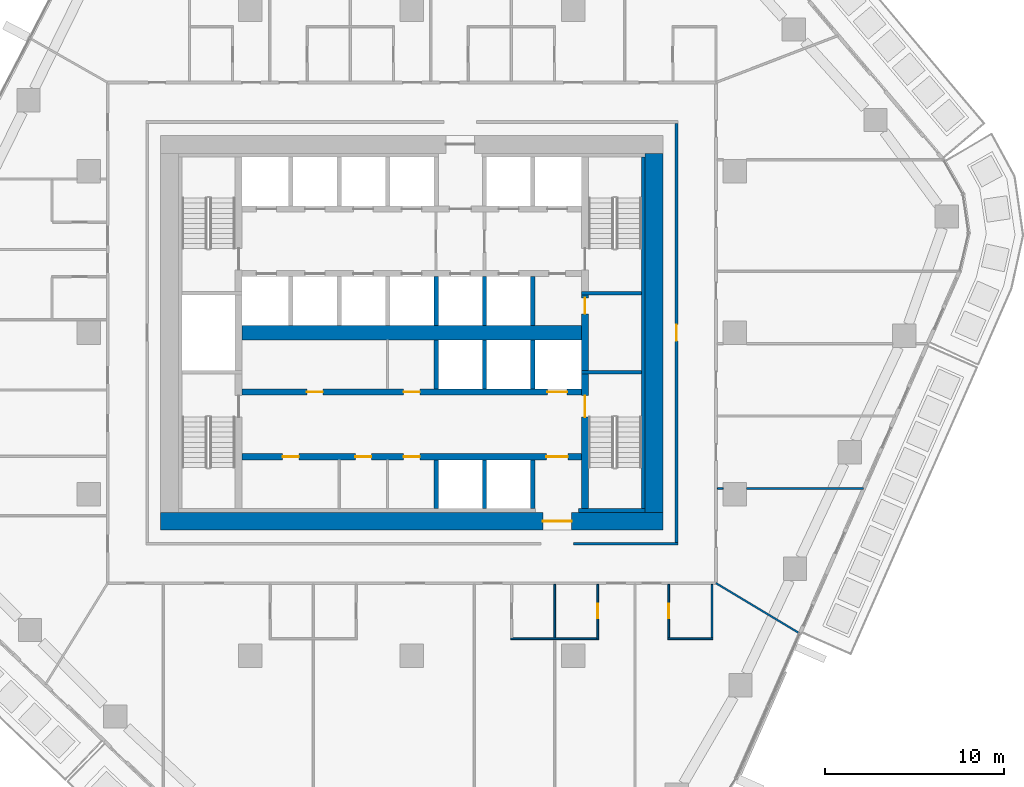
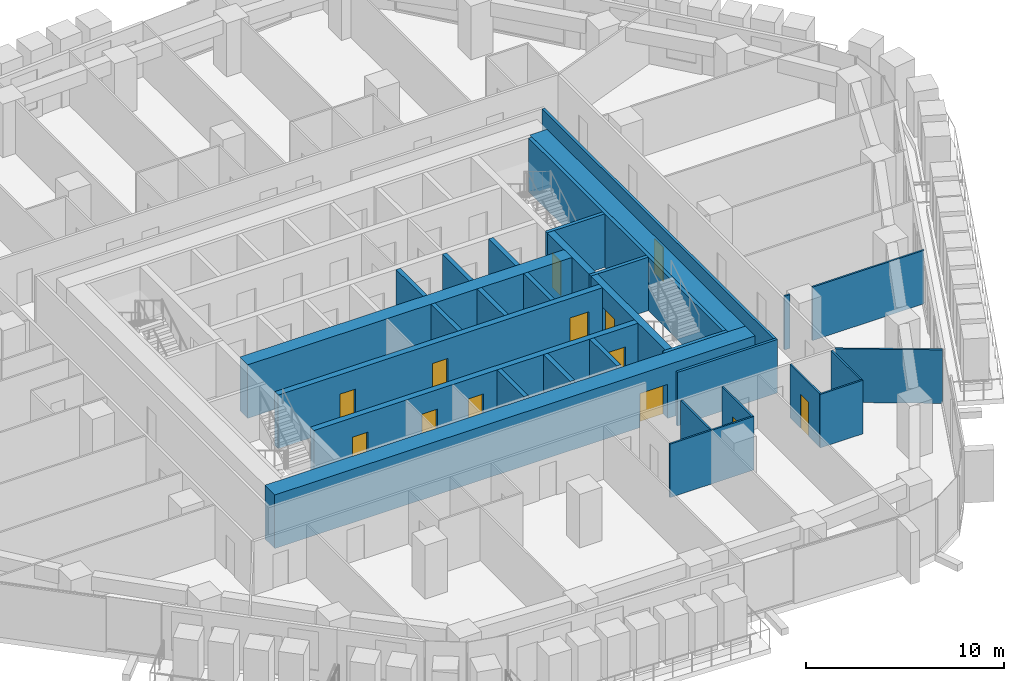
# One storey, part 13 of 24: 31 walls, 13 doors, 13 openings.
"""IFC4 building model written with IfcOpenShell, lengths in metres."""

from ifc_helpers import new_model, si_unit, direction, frame, frame_2d, origin, place, context, subcontext, project, spatial, rectangle, extrude, material, layer, layer_set, type_object, element, fill, save


model = new_model("IFC4")

# Units and contexts
model_context = context("Model", 3, precision=1e-05, world=origin(), true_north=direction((0.0, 1.0)))
body_context = subcontext(model_context, "Body", "Model", "MODEL_VIEW")
ifc_project = project(units=[si_unit("LENGTHUNIT", "METRE"), si_unit("AREAUNIT", "SQUARE_METRE"), si_unit("VOLUMEUNIT", "CUBIC_METRE"), si_unit("PLANEANGLEUNIT", "RADIAN"), si_unit("MASSUNIT", "GRAM", prefix="KILO")], contexts=[model_context])

# Site, building, storey
site_placement = place(None, origin())
site = spatial("IfcSite", under=ifc_project, at=site_placement, CompositionType="ELEMENT")
building_placement = place(site_placement, origin())
building = spatial("IfcBuilding", under=site, at=building_placement, Name="Dongbaek Canopy Tower", CompositionType="ELEMENT")
storey_placement = place(building_placement, frame((0.0, 0.0, 110.0)))
storey = spatial("IfcBuildingStorey", under=building, at=storey_placement, Name="L23", CompositionType="ELEMENT", Elevation=110.0)

# Wall
ifc_material_1 = material(Name="Concrete C60/75", Category="concrete")
ifc_layer_1 = layer(ifc_material_1, 0.800048828125)
ifc_layer_set_1 = layer_set([ifc_layer_1], Name="Core central wall 800 Concrete C60/75")
wall_type_1 = type_object("IfcWallType", Name="Core central wall 800 Concrete C60/75", PredefinedType="SHEAR", material=ifc_layer_set_1)
wall_1_placement = place(storey_placement, frame((-9.449951171875, 0.0, 0.0), z_axis=(0.0, 0.0, 1.0), x_axis=(1.0, 0.0, 0.0)))
element("IfcWall", 1, at=wall_1_placement, inside=storey, type_object=wall_type_1, Name="Core wall", PredefinedType="SHEAR", context=body_context, shape_type="SweptSolid", body=[
    extrude(rectangle(XDim=18.89990234375, YDim=0.800048828125, at=frame_2d((9.449951171875, 0.0))), origin(), (0.0, 0.0, 1.0), 3.300048828125),
])

# Wall, openings, doors
ifc_material_2 = material(Name="Concrete C60/75", Category="concrete")
ifc_layer_2 = layer(ifc_material_2, 0.35009765625)
ifc_layer_set_2 = layer_set([ifc_layer_2], Name="Core lobby wall 350 Concrete C60/75")
wall_type_2 = type_object("IfcWallType", Name="Core lobby wall 350 Concrete C60/75", PredefinedType="SHEAR", material=ifc_layer_set_2)
wall_2_placement = place(storey_placement, frame((-9.449951171875, -3.300048828125, 0.0), z_axis=(0.0, 0.0, 1.0), x_axis=(1.0, 0.0, 0.0)))
wall_2 = element("IfcWall", 2, at=wall_2_placement, inside=storey, type_object=wall_type_2, Name="Core wall", PredefinedType="SHEAR", context=body_context, shape_type="SweptSolid", body=[
    extrude(rectangle(XDim=18.89990234375, YDim=0.35009765625, at=frame_2d((9.449951171875, 0.0))), origin(), (0.0, 0.0, 1.0), 3.300048828125),
])
opening_1_placement = place(wall_2_placement, frame((17.0, 0.0, 0.0)))
opening_1 = element("IfcOpeningElement", 3, at=opening_1_placement, cuts=wall_2, Name="Opening L23-D057", PredefinedType="OPENING", context=body_context, shape_type="SweptSolid", body=[
    extrude(rectangle(XDim=1.10009765625, YDim=2.10009765625, at=frame_2d((0.550048828125, 1.050048828125))), frame((0.0, 0.18505859375, 0.0), z_axis=(0.0, -1.0, 0.0), x_axis=(1.0, 0.0, 0.0)), (0.0, 0.0, 1.0), 0.3701171875),
])
opening_2_placement = place(wall_2_placement, frame((3.60009765625, 0.0, 0.0)))
opening_2 = element("IfcOpeningElement", 4, at=opening_2_placement, cuts=wall_2, Name="Opening L23-D060", PredefinedType="OPENING", context=body_context, shape_type="SweptSolid", body=[
    extrude(rectangle(XDim=0.89990234375, YDim=2.10009765625, at=frame_2d((0.449951171875, 1.050048828125))), frame((0.0, 0.18505859375, 0.0), z_axis=(0.0, -1.0, 0.0), x_axis=(1.0, 0.0, 0.0)), (0.0, 0.0, 1.0), 0.3701171875),
])
opening_3_placement = place(wall_2_placement, frame((9.0, 0.0, 0.0)))
opening_3 = element("IfcOpeningElement", 5, at=opening_3_placement, cuts=wall_2, Name="Opening L23-D061", PredefinedType="OPENING", context=body_context, shape_type="SweptSolid", body=[
    extrude(rectangle(XDim=0.89990234375, YDim=2.10009765625, at=frame_2d((0.449951171875, 1.050048828125))), frame((0.0, 0.18505859375, 0.0), z_axis=(0.0, -1.0, 0.0), x_axis=(1.0, 0.0, 0.0)), (0.0, 0.0, 1.0), 0.3701171875),
])
ifc_material_3 = material(Name="Steel", Category="steel")
door_type_1 = type_object("IfcDoorType", Name="Core room door 900 x 2100", OperationType="SINGLE_SWING_LEFT", PredefinedType="DOOR", material=ifc_material_3)
door_1_placement = place(opening_2_placement, origin())
door_1 = element("IfcDoor", 6, at=door_1_placement, inside=storey, type_object=door_type_1, Name="Door L23-D060", OperationType="SINGLE_SWING_RIGHT", OverallHeight=2.10009765625, OverallWidth=0.89990234375, PredefinedType="DOOR", context=body_context, shape_type="SweptSolid", body=[
    extrude(rectangle(XDim=0.89990234375, YDim=2.10009765625, at=frame_2d((0.449951171875, 1.050048828125))), frame((0.0, 0.02490234375, 0.0), z_axis=(0.0, -1.0, 0.0), x_axis=(1.0, 0.0, 0.0)), (0.0, 0.0, 1.0), 0.050048828125),
])
fill(opening_2, door_1)
door_2_placement = place(opening_3_placement, origin())
door_2 = element("IfcDoor", 7, at=door_2_placement, inside=storey, type_object=door_type_1, Name="Door L23-D061", OperationType="SINGLE_SWING_LEFT", OverallHeight=2.10009765625, OverallWidth=0.89990234375, PredefinedType="DOOR", context=body_context, shape_type="SweptSolid", body=[
    extrude(rectangle(XDim=0.89990234375, YDim=2.10009765625, at=frame_2d((0.449951171875, 1.050048828125))), frame((0.0, 0.02490234375, 0.0), z_axis=(0.0, -1.0, 0.0), x_axis=(1.0, 0.0, 0.0)), (0.0, 0.0, 1.0), 0.050048828125),
])
fill(opening_3, door_2)
ifc_material_4 = material(Name="Stainless steel", Category="steel")
door_type_2 = type_object("IfcDoorType", Name="Lift landing door 1100 x 2100", OperationType="DOUBLE_DOOR_SLIDING", PredefinedType="DOOR", material=ifc_material_4)
door_3_placement = place(opening_1_placement, origin())
door_3 = element("IfcDoor", 8, at=door_3_placement, inside=storey, type_object=door_type_2, Name="Landing door SV2", OperationType="DOUBLE_DOOR_SLIDING", OverallHeight=2.10009765625, OverallWidth=1.10009765625, PredefinedType="DOOR", context=body_context, shape_type="SweptSolid", body=[
    extrude(rectangle(XDim=1.10009765625, YDim=2.10009765625, at=frame_2d((0.550048828125, 1.050048828125))), frame((0.0, 0.02490234375, 0.0), z_axis=(0.0, -1.0, 0.0), x_axis=(1.0, 0.0, 0.0)), (0.0, 0.0, 1.0), 0.050048828125),
])
fill(opening_1, door_3)

wall_3_placement = place(storey_placement, frame((9.449951171875, -6.89990234375, 0.0), z_axis=(0.0, 0.0, 1.0), x_axis=(-1.0, 0.0, 0.0)))
wall_3 = element("IfcWall", 9, at=wall_3_placement, inside=storey, type_object=wall_type_2, Name="Core wall", PredefinedType="SHEAR", context=body_context, shape_type="SweptSolid", body=[
    extrude(rectangle(XDim=18.89990234375, YDim=0.35009765625, at=frame_2d((9.449951171875, 0.0))), origin(), (0.0, 0.0, 1.0), 3.300048828125),
])
opening_4_placement = place(wall_3_placement, frame((0.75, 0.0, 0.0)))
opening_4 = element("IfcOpeningElement", 10, at=opening_4_placement, cuts=wall_3, Name="Opening L23-D059", PredefinedType="OPENING", context=body_context, shape_type="SweptSolid", body=[
    extrude(rectangle(XDim=1.199951171875, YDim=2.10009765625, at=frame_2d((0.60009765625, 1.050048828125))), frame((0.0, 0.18505859375, 0.0), z_axis=(0.0, -1.0, 0.0), x_axis=(1.0, 0.0, 0.0)), (0.0, 0.0, 1.0), 0.3701171875),
])
opening_5_placement = place(wall_3_placement, frame((15.75, 0.0, 0.0)))
opening_5 = element("IfcOpeningElement", 11, at=opening_5_placement, cuts=wall_3, Name="Opening L23-D062", PredefinedType="OPENING", context=body_context, shape_type="SweptSolid", body=[
    extrude(rectangle(XDim=0.89990234375, YDim=2.10009765625, at=frame_2d((0.449951171875, 1.050048828125))), frame((0.0, 0.18505859375, 0.0), z_axis=(0.0, -1.0, 0.0), x_axis=(1.0, 0.0, 0.0)), (0.0, 0.0, 1.0), 0.3701171875),
])
opening_6_placement = place(wall_3_placement, frame((11.699951171875, 0.0, 0.0)))
opening_6 = element("IfcOpeningElement", 12, at=opening_6_placement, cuts=wall_3, Name="Opening L23-D063", PredefinedType="OPENING", context=body_context, shape_type="SweptSolid", body=[
    extrude(rectangle(XDim=0.89990234375, YDim=2.10009765625, at=frame_2d((0.449951171875, 1.050048828125))), frame((0.0, 0.18505859375, 0.0), z_axis=(0.0, -1.0, 0.0), x_axis=(1.0, 0.0, 0.0)), (0.0, 0.0, 1.0), 0.3701171875),
])
opening_7_placement = place(wall_3_placement, frame((9.0, 0.0, 0.0)))
opening_7 = element("IfcOpeningElement", 13, at=opening_7_placement, cuts=wall_3, Name="Opening L23-D064", PredefinedType="OPENING", context=body_context, shape_type="SweptSolid", body=[
    extrude(rectangle(XDim=0.89990234375, YDim=2.10009765625, at=frame_2d((0.449951171875, 1.050048828125))), frame((0.0, 0.18505859375, 0.0), z_axis=(0.0, -1.0, 0.0), x_axis=(1.0, 0.0, 0.0)), (0.0, 0.0, 1.0), 0.3701171875),
])
door_4_placement = place(opening_5_placement, origin())
door_4 = element("IfcDoor", 14, at=door_4_placement, inside=storey, type_object=door_type_1, Name="Door L23-D062", OperationType="SINGLE_SWING_RIGHT", OverallHeight=2.10009765625, OverallWidth=0.89990234375, PredefinedType="DOOR", context=body_context, shape_type="SweptSolid", body=[
    extrude(rectangle(XDim=0.89990234375, YDim=2.10009765625, at=frame_2d((0.449951171875, 1.050048828125))), frame((0.0, 0.02490234375, 0.0), z_axis=(0.0, -1.0, 0.0), x_axis=(1.0, 0.0, 0.0)), (0.0, 0.0, 1.0), 0.050048828125),
])
fill(opening_5, door_4)
door_5_placement = place(opening_6_placement, origin())
door_5 = element("IfcDoor", 15, at=door_5_placement, inside=storey, type_object=door_type_1, Name="Door L23-D063", OperationType="SINGLE_SWING_LEFT", OverallHeight=2.10009765625, OverallWidth=0.89990234375, PredefinedType="DOOR", context=body_context, shape_type="SweptSolid", body=[
    extrude(rectangle(XDim=0.89990234375, YDim=2.10009765625, at=frame_2d((0.449951171875, 1.050048828125))), frame((0.0, 0.02490234375, 0.0), z_axis=(0.0, -1.0, 0.0), x_axis=(1.0, 0.0, 0.0)), (0.0, 0.0, 1.0), 0.050048828125),
])
fill(opening_6, door_5)
door_6_placement = place(opening_7_placement, origin())
door_6 = element("IfcDoor", 16, at=door_6_placement, inside=storey, type_object=door_type_1, Name="Door L23-D064", OperationType="SINGLE_SWING_RIGHT", OverallHeight=2.10009765625, OverallWidth=0.89990234375, PredefinedType="DOOR", context=body_context, shape_type="SweptSolid", body=[
    extrude(rectangle(XDim=0.89990234375, YDim=2.10009765625, at=frame_2d((0.449951171875, 1.050048828125))), frame((0.0, 0.02490234375, 0.0), z_axis=(0.0, -1.0, 0.0), x_axis=(1.0, 0.0, 0.0)), (0.0, 0.0, 1.0), 0.050048828125),
])
fill(opening_7, door_6)
ifc_material_5 = material(Name="Steel", Category="steel")
door_type_3 = type_object("IfcDoorType", Name="Fire lobby door 1200 x 2100", OperationType="SINGLE_SWING_LEFT", PredefinedType="DOOR", material=ifc_material_5)
door_7_placement = place(opening_4_placement, origin())
door_7 = element("IfcDoor", 17, at=door_7_placement, inside=storey, type_object=door_type_3, Name="Door L23-D059", OperationType="SINGLE_SWING_LEFT", OverallHeight=2.10009765625, OverallWidth=1.199951171875, PredefinedType="DOOR", context=body_context, shape_type="SweptSolid", body=[
    extrude(rectangle(XDim=1.199951171875, YDim=2.10009765625, at=frame_2d((0.60009765625, 1.050048828125))), frame((0.0, 0.02490234375, 0.0), z_axis=(0.0, -1.0, 0.0), x_axis=(1.0, 0.0, 0.0)), (0.0, 0.0, 1.0), 0.050048828125),
])
fill(opening_4, door_7)

# Wall, opening, door
ifc_material_6 = material(Name="Concrete C60/75", Category="concrete")
ifc_layer_3 = layer(ifc_material_6, 1.0)
ifc_layer_set_3 = layer_set([ifc_layer_3], Name="Core outer wall 1000 Concrete C60/75")
wall_type_3 = type_object("IfcWallType", Name="Core outer wall 1000 Concrete C60/75", PredefinedType="SHEAR", material=ifc_layer_set_3)
wall_4_placement = place(storey_placement, frame((14.0, -10.5, 0.0), z_axis=(0.0, 0.0, 1.0), x_axis=(-1.0, 0.0, 0.0)))
wall_4 = element("IfcWall", 18, at=wall_4_placement, inside=storey, type_object=wall_type_3, Name="Core wall", PredefinedType="SHEAR", context=body_context, shape_type="SweptSolid", body=[
    extrude(rectangle(XDim=28.0, YDim=1.0, at=frame_2d((14.0, 0.0))), origin(), (0.0, 0.0, 1.0), 3.300048828125),
])
opening_8_placement = place(wall_4_placement, frame((5.10009765625, 0.0, 0.0)))
opening_8 = element("IfcOpeningElement", 19, at=opening_8_placement, cuts=wall_4, Name="Opening L23-D058", PredefinedType="OPENING", context=body_context, shape_type="SweptSolid", body=[
    extrude(rectangle(XDim=1.60009765625, YDim=2.10009765625, at=frame_2d((0.800048828125, 1.050048828125))), frame((0.0, 0.510009765625, 0.0), z_axis=(0.0, -1.0, 0.0), x_axis=(1.0, 0.0, 0.0)), (0.0, 0.0, 1.0), 1.02001953125),
])
ifc_material_7 = material(Name="Steel", Category="steel")
door_type_4 = type_object("IfcDoorType", Name="Core exit door 1600 x 2100", OperationType="DOUBLE_DOOR_SINGLE_SWING", PredefinedType="DOOR", material=ifc_material_7)
door_8_placement = place(opening_8_placement, origin())
door_8 = element("IfcDoor", 20, at=door_8_placement, inside=storey, type_object=door_type_4, Name="Core exit door", OperationType="DOUBLE_DOOR_SINGLE_SWING", OverallHeight=2.10009765625, OverallWidth=1.60009765625, PredefinedType="DOOR", context=body_context, shape_type="SweptSolid", body=[
    extrude(rectangle(XDim=1.60009765625, YDim=2.10009765625, at=frame_2d((0.800048828125, 1.050048828125))), frame((0.0, 0.02490234375, 0.0), z_axis=(0.0, -1.0, 0.0), x_axis=(1.0, 0.0, 0.0)), (0.0, 0.0, 1.0), 0.050048828125),
])
fill(opening_8, door_8)

# Walls
wall_5_placement = place(storey_placement, frame((13.5, 10.0, 0.0), z_axis=(0.0, 0.0, 1.0), x_axis=(0.0, -1.0, 0.0)))
element("IfcWall", 21, at=wall_5_placement, inside=storey, type_object=wall_type_3, Name="Core wall", PredefinedType="SHEAR", context=body_context, shape_type="SweptSolid", body=[
    extrude(rectangle(XDim=20.0, YDim=1.0, at=frame_2d((10.0, 0.0))), origin(), (0.0, 0.0, 1.0), 3.300048828125),
])
ifc_material_8 = material(Name="Concrete C60/75", Category="concrete")
ifc_layer_4 = layer(ifc_material_8, 0.199951171875)
ifc_layer_set_4 = layer_set([ifc_layer_4], Name="Core wall lining 200 Concrete C60/75")
wall_type_4 = type_object("IfcWallType", Name="Core wall lining 200 Concrete C60/75", PredefinedType="SHEAR", material=ifc_layer_set_4)
wall_6_placement = place(storey_placement, frame((13.0, -9.89990234375, 0.0), z_axis=(0.0, 0.0, 1.0), x_axis=(-1.0, 0.0, 0.0)))
element("IfcWall", 22, at=wall_6_placement, inside=storey, type_object=wall_type_4, Name="Core wall lining", PredefinedType="SHEAR", context=body_context, shape_type="SweptSolid", body=[
    extrude(rectangle(XDim=3.699951171875, YDim=0.199951171875, at=frame_2d((1.85009765625, 0.0))), origin(), (0.0, 0.0, 1.0), 3.300048828125),
])
wall_7_placement = place(storey_placement, frame((12.89990234375, 9.800048828125, 0.0), z_axis=(0.0, 0.0, 1.0), x_axis=(0.0, -1.0, 0.0)))
element("IfcWall", 23, at=wall_7_placement, inside=storey, type_object=wall_type_4, Name="Core wall lining", PredefinedType="SHEAR", context=body_context, shape_type="SweptSolid", body=[
    extrude(rectangle(XDim=19.60009765625, YDim=0.199951171875, at=frame_2d((9.800048828125, 0.0))), origin(), (0.0, 0.0, 1.0), 3.300048828125),
])
ifc_material_9 = material(Name="Gypsum board partition, steel stud, 2 x 15 mm fire board", Category="steel")
ifc_layer_5 = layer(ifc_material_9, 0.14990234375)
ifc_layer_set_5 = layer_set([ifc_layer_5], Name="Fire-rated partition 150 gypsum board")
wall_type_5 = type_object("IfcWallType", Name="Fire-rated partition 150 gypsum board", PredefinedType="PARTITIONING", material=ifc_layer_set_5)
wall_8_placement = place(storey_placement, frame((9.0, -11.75, 0.0), z_axis=(0.0, 0.0, 1.0), x_axis=(1.0, 0.0, 0.0)))
element("IfcWall", 24, at=wall_8_placement, inside=storey, type_object=wall_type_5, Name="Corridor partition", PredefinedType="PARTITIONING", context=body_context, shape_type="SweptSolid", body=[
    extrude(rectangle(XDim=5.824951171875, YDim=0.14990234375, at=frame_2d((2.91259765625, 0.0))), origin(), (0.0, 0.0, 1.0), 3.300048828125),
])

# Wall, opening, door
wall_9_placement = place(storey_placement, frame((14.75, -11.675048828125, 0.0), z_axis=(0.0, 0.0, 1.0), x_axis=(0.0, 1.0, 0.0)))
wall_9 = element("IfcWall", 25, at=wall_9_placement, inside=storey, type_object=wall_type_5, Name="Corridor partition", PredefinedType="PARTITIONING", context=body_context, shape_type="SweptSolid", body=[
    extrude(rectangle(XDim=23.35009765625, YDim=0.14990234375, at=frame_2d((11.675048828125, 0.0))), origin(), (0.0, 0.0, 1.0), 3.300048828125),
])
opening_9_placement = place(wall_9_placement, frame((11.22509765625, 0.0, 0.0)))
opening_9 = element("IfcOpeningElement", 26, at=opening_9_placement, cuts=wall_9, Name="Opening L23-D040", PredefinedType="OPENING", context=body_context, shape_type="SweptSolid", body=[
    extrude(rectangle(XDim=0.89990234375, YDim=2.10009765625, at=frame_2d((0.449951171875, 1.050048828125))), frame((0.0, 0.0849609375, 0.0), z_axis=(0.0, -1.0, 0.0), x_axis=(1.0, 0.0, 0.0)), (0.0, 0.0, 1.0), 0.169921875),
])
ifc_material_10 = material(Name="Timber veneered door leaf", Category="wood")
door_type_5 = type_object("IfcDoorType", Name="Room door 900 x 2100", OperationType="SINGLE_SWING_LEFT", PredefinedType="DOOR", material=ifc_material_10)
door_9_placement = place(opening_9_placement, origin())
door_9 = element("IfcDoor", 27, at=door_9_placement, inside=storey, type_object=door_type_5, Name="Door L23-D040", OperationType="SINGLE_SWING_LEFT", OverallHeight=2.10009765625, OverallWidth=0.89990234375, PredefinedType="DOOR", context=body_context, shape_type="SweptSolid", body=[
    extrude(rectangle(XDim=0.89990234375, YDim=2.10009765625, at=frame_2d((0.449951171875, 1.050048828125))), frame((0.0, 0.02490234375, 0.0), z_axis=(0.0, -1.0, 0.0), x_axis=(1.0, 0.0, 0.0)), (0.0, 0.0, 1.0), 0.050048828125),
])
fill(opening_9, door_9)

# Walls
ifc_material_11 = material(Name="Concrete C40/50", Category="concrete")
ifc_layer_6 = layer(ifc_material_11, 0.25)
ifc_layer_set_6 = layer_set([ifc_layer_6], Name="Lift shaft wall 250 Concrete C40/50")
wall_type_6 = type_object("IfcWallType", Name="Lift shaft wall 250 Concrete C40/50", PredefinedType="SOLIDWALL", material=ifc_layer_set_6)
for number, where, z_axis, x_axis, name in (
    (28, (6.75, -9.800048828125, 0.0), (0.0, 0.0, 1.0), (0.0, 1.0, 0.0), "Lift shaft wall"),
    (29, (6.75, -3.125, 0.0), (0.0, 0.0, 1.0), (0.0, 1.0, 0.0), "Lift shaft wall"),
    (30, (6.75, 0.39990234375, 0.0), (0.0, 0.0, 1.0), (0.0, 1.0, 0.0), "Lift shaft wall"),
    (31, (4.050048828125, -9.800048828125, 0.0), (0.0, 0.0, 1.0), (0.0, 1.0, 0.0), "Lift shaft wall"),
    (32, (4.050048828125, -3.125, 0.0), (0.0, 0.0, 1.0), (0.0, 1.0, 0.0), "Lift shaft wall"),
    (33, (4.050048828125, 0.39990234375, 0.0), (0.0, 0.0, 1.0), (0.0, 1.0, 0.0), "Lift shaft wall"),
    (34, (1.35009765625, -9.800048828125, 0.0), (0.0, 0.0, 1.0), (0.0, 1.0, 0.0), "Lift shaft wall"),
    (35, (1.35009765625, -3.125, 0.0), (0.0, 0.0, 1.0), (0.0, 1.0, 0.0), "Lift shaft wall"),
    (36, (1.35009765625, 0.39990234375, 0.0), (0.0, 0.0, 1.0), (0.0, 1.0, 0.0), "Lift shaft wall"),
):
    element("IfcWall", number, at=place(storey_placement, frame(where, z_axis=z_axis, x_axis=x_axis)), inside=storey, type_object=wall_type_6, Name=name, PredefinedType="SOLIDWALL", context=body_context, shape_type="SweptSolid", body=[
        extrude(rectangle(XDim=2.72509765625, YDim=0.25, at=frame_2d((1.362548828125, 0.0))), origin(), (0.0, 0.0, 1.0), 3.300048828125),
    ])
ifc_material_12 = material(Name="Gypsum board partition, steel stud, 2 x 12.5 mm board", Category="steel")
ifc_layer_7 = layer(ifc_material_12, 0.10009765625)
ifc_layer_set_7 = layer_set([ifc_layer_7], Name="Partition 100 gypsum board")
wall_type_7 = type_object("IfcWallType", Name="Partition 100 gypsum board", PredefinedType="PARTITIONING", material=ifc_layer_set_7)
wall_10_placement = place(storey_placement, frame((5.5126953125, -17.050048828125, 0.0), z_axis=(0.0, 0.0, 1.0), x_axis=(1.0, 0.0, 0.0)))
element("IfcWall", 37, at=wall_10_placement, inside=storey, type_object=wall_type_7, Name="Partition", PredefinedType="PARTITIONING", context=body_context, shape_type="SweptSolid", body=[
    extrude(rectangle(XDim=4.89990234375, YDim=0.10009765625, at=frame_2d((2.449951171875, 0.0))), origin(), (0.0, 0.0, 1.0), 3.300048828125),
])
wall_11_placement = place(storey_placement, frame((14.2724609375, -17.050048828125, 0.0), z_axis=(0.0, 0.0, 1.0), x_axis=(1.0, 0.0, 0.0)))
element("IfcWall", 38, at=wall_11_placement, inside=storey, type_object=wall_type_7, Name="Partition", PredefinedType="PARTITIONING", context=body_context, shape_type="SweptSolid", body=[
    extrude(rectangle(XDim=2.5, YDim=0.10009765625, at=frame_2d((1.25, 0.0))), origin(), (0.0, 0.0, 1.0), 3.300048828125),
])
wall_12_placement = place(storey_placement, frame((17.02490234375, -8.680908203125, 0.0), z_axis=(0.0, 0.0, 1.0), x_axis=(1.0, 0.0, 0.0)))
element("IfcWall", 39, at=wall_12_placement, inside=storey, type_object=wall_type_7, Name="Partition", PredefinedType="PARTITIONING", context=body_context, shape_type="SweptSolid", body=[
    extrude(rectangle(XDim=0.3251953125, YDim=0.10009765625, at=frame_2d((0.16259765625, 0.0))), origin(), (0.0, 0.0, 1.0), 3.300048828125),
])
wall_13_placement = place(storey_placement, frame((18.64990234375, -8.680908203125, 0.0), z_axis=(0.0, 0.0, 1.0), x_axis=(1.0, 0.0, 0.0)))
element("IfcWall", 40, at=wall_13_placement, inside=storey, type_object=wall_type_7, Name="Partition", PredefinedType="PARTITIONING", context=body_context, shape_type="SweptSolid", body=[
    extrude(rectangle(XDim=6.515380859375, YDim=0.10009765625, at=frame_2d((3.2578125, 0.0))), origin(), (0.0, 0.0, 1.0), 3.300048828125),
])
wall_14_placement = place(storey_placement, frame((16.721923828125, -17.0, 0.0), z_axis=(0.0, 0.0, 1.0), x_axis=(0.0, 1.0, 0.0)))
element("IfcWall", 41, at=wall_14_placement, inside=storey, type_object=wall_type_7, Name="Partition", PredefinedType="PARTITIONING", context=body_context, shape_type="SweptSolid", body=[
    extrude(rectangle(XDim=2.97509765625, YDim=0.10009765625, at=frame_2d((1.487548828125, 0.0))), origin(), (0.0, 0.0, 1.0), 3.300048828125),
])

# Wall, opening, door
wall_15_placement = place(storey_placement, frame((14.322021484375, -14.02490234375, 0.0), z_axis=(0.0, 0.0, 1.0), x_axis=(0.0, -1.0, 0.0)))
wall_15 = element("IfcWall", 42, at=wall_15_placement, inside=storey, type_object=wall_type_7, Name="Partition", PredefinedType="PARTITIONING", context=body_context, shape_type="SweptSolid", body=[
    extrude(rectangle(XDim=3.025146484375, YDim=0.10009765625, at=frame_2d((1.5126953125, 0.0))), origin(), (0.0, 0.0, 1.0), 3.300048828125),
])
opening_10_placement = place(wall_15_placement, frame((1.074951171875, 0.0, 0.0)))
opening_10 = element("IfcOpeningElement", 43, at=opening_10_placement, cuts=wall_15, Name="Opening L23-D013", PredefinedType="OPENING", context=body_context, shape_type="SweptSolid", body=[
    extrude(rectangle(XDim=0.800048828125, YDim=2.10009765625, at=frame_2d((0.39990234375, 1.050048828125))), frame((0.0, 0.06005859375, 0.0), z_axis=(0.0, -1.0, 0.0), x_axis=(1.0, 0.0, 0.0)), (0.0, 0.0, 1.0), 0.1201171875),
])
ifc_material_13 = material(Name="Timber veneered door leaf", Category="wood")
door_type_6 = type_object("IfcDoorType", Name="En-suite door 800 x 2100", OperationType="SINGLE_SWING_LEFT", PredefinedType="DOOR", material=ifc_material_13)
door_10_placement = place(opening_10_placement, origin())
door_10 = element("IfcDoor", 44, at=door_10_placement, inside=storey, type_object=door_type_6, Name="Door L23-D013", OperationType="SINGLE_SWING_RIGHT", OverallHeight=2.10009765625, OverallWidth=0.800048828125, PredefinedType="DOOR", context=body_context, shape_type="SweptSolid", body=[
    extrude(rectangle(XDim=0.800048828125, YDim=2.10009765625, at=frame_2d((0.39990234375, 1.050048828125))), frame((0.0, 0.02490234375, 0.0), z_axis=(0.0, -1.0, 0.0), x_axis=(1.0, 0.0, 0.0)), (0.0, 0.0, 1.0), 0.050048828125),
])
fill(opening_10, door_10)

wall_16_placement = place(storey_placement, frame((10.363037109375, -17.050048828125, 0.0), z_axis=(0.0, 0.0, 1.0), x_axis=(0.0, 1.0, 0.0)))
wall_16 = element("IfcWall", 45, at=wall_16_placement, inside=storey, type_object=wall_type_7, Name="Partition", PredefinedType="PARTITIONING", context=body_context, shape_type="SweptSolid", body=[
    extrude(rectangle(XDim=3.025146484375, YDim=0.10009765625, at=frame_2d((1.5126953125, 0.0))), origin(), (0.0, 0.0, 1.0), 3.300048828125),
])
opening_11_placement = place(wall_16_placement, frame((1.14990234375, 0.0, 0.0)))
opening_11 = element("IfcOpeningElement", 46, at=opening_11_placement, cuts=wall_16, Name="Opening L23-D011", PredefinedType="OPENING", context=body_context, shape_type="SweptSolid", body=[
    extrude(rectangle(XDim=0.800048828125, YDim=2.10009765625, at=frame_2d((0.39990234375, 1.050048828125))), frame((0.0, 0.06005859375, 0.0), z_axis=(0.0, -1.0, 0.0), x_axis=(1.0, 0.0, 0.0)), (0.0, 0.0, 1.0), 0.1201171875),
])
door_11_placement = place(opening_11_placement, origin())
door_11 = element("IfcDoor", 47, at=door_11_placement, inside=storey, type_object=door_type_6, Name="Door L23-D011", OperationType="SINGLE_SWING_LEFT", OverallHeight=2.10009765625, OverallWidth=0.800048828125, PredefinedType="DOOR", context=body_context, shape_type="SweptSolid", body=[
    extrude(rectangle(XDim=0.800048828125, YDim=2.10009765625, at=frame_2d((0.39990234375, 1.050048828125))), frame((0.0, 0.02490234375, 0.0), z_axis=(0.0, -1.0, 0.0), x_axis=(1.0, 0.0, 0.0)), (0.0, 0.0, 1.0), 0.050048828125),
])
fill(opening_11, door_11)

# Walls
wall_17_placement = place(storey_placement, frame((7.962890625, -17.0, 0.0), z_axis=(0.0, 0.0, 1.0), x_axis=(0.0, 1.0, 0.0)))
element("IfcWall", 48, at=wall_17_placement, inside=storey, type_object=wall_type_7, Name="Partition", PredefinedType="PARTITIONING", context=body_context, shape_type="SweptSolid", body=[
    extrude(rectangle(XDim=2.97509765625, YDim=0.10009765625, at=frame_2d((1.487548828125, 0.0))), origin(), (0.0, 0.0, 1.0), 3.300048828125),
])
wall_18_placement = place(storey_placement, frame((16.94970703125, -13.950439453125, 0.0), z_axis=(0.0, 0.0, 1.0), x_axis=(0.857183640751, -0.515010879525, 0.0)))
element("IfcWall", 49, at=wall_18_placement, inside=storey, type_object=wall_type_7, Name="Partition", PredefinedType="PARTITIONING", context=body_context, shape_type="SweptSolid", body=[
    extrude(rectangle(XDim=5.435546875, YDim=0.10009765625, at=frame_2d((2.7177734375, 0.0))), origin(), (0.0, 0.0, 1.0), 3.300048828125),
])
ifc_material_14 = material(Name="Concrete C60/75", Category="concrete")
ifc_layer_8 = layer(ifc_material_14, 0.199951171875)
ifc_layer_set_8 = layer_set([ifc_layer_8], Name="Riser wall 200 Concrete C60/75")
wall_type_8 = type_object("IfcWallType", Name="Riser wall 200 Concrete C60/75", PredefinedType="SHEAR", material=ifc_layer_set_8)
for number, where, z_axis, x_axis, name in (
    (50, (9.449951171875, 2.199951171875, 0.0), (0.0, 0.0, 1.0), (1.0, 0.0, 0.0), "Riser wall"),
    (51, (9.449951171875, -2.199951171875, 0.0), (0.0, 0.0, 1.0), (1.0, 0.0, 0.0), "Riser wall"),
):
    element("IfcWall", number, at=place(storey_placement, frame(where, z_axis=z_axis, x_axis=x_axis)), inside=storey, type_object=wall_type_8, Name=name, PredefinedType="SHEAR", context=body_context, shape_type="SweptSolid", body=[
        extrude(rectangle(XDim=3.35009765625, YDim=0.199951171875, at=frame_2d((1.675048828125, 0.0))), origin(), (0.0, 0.0, 1.0), 3.300048828125),
    ])

# Wall, opening, door
ifc_material_15 = material(Name="Concrete C60/75", Category="concrete")
ifc_layer_9 = layer(ifc_material_15, 0.39990234375)
ifc_layer_set_9 = layer_set([ifc_layer_9], Name="Stair wall 400 Concrete C60/75")
wall_type_9 = type_object("IfcWallType", Name="Stair wall 400 Concrete C60/75", PredefinedType="SHEAR", material=ifc_layer_set_9)
wall_19_placement = place(storey_placement, frame((9.64990234375, -2.300048828125, 0.0), z_axis=(0.0, 0.0, 1.0), x_axis=(0.0, -1.0, 0.0)))
wall_19 = element("IfcWall", 52, at=wall_19_placement, inside=storey, type_object=wall_type_9, Name="Stair wall", PredefinedType="SHEAR", context=body_context, shape_type="SweptSolid", body=[
    extrude(rectangle(XDim=7.5, YDim=0.39990234375, at=frame_2d((3.75, 0.0))), origin(), (0.0, 0.0, 1.0), 3.300048828125),
])
opening_12_placement = place(wall_19_placement, frame((1.199951171875, 0.0, 0.0)))
opening_12 = element("IfcOpeningElement", 53, at=opening_12_placement, cuts=wall_19, Name="Opening L23-D067", PredefinedType="OPENING", context=body_context, shape_type="SweptSolid", body=[
    extrude(rectangle(XDim=1.199951171875, YDim=2.10009765625, at=frame_2d((0.60009765625, 1.050048828125))), frame((0.0, 0.2099609375, 0.0), z_axis=(0.0, -1.0, 0.0), x_axis=(1.0, 0.0, 0.0)), (0.0, 0.0, 1.0), 0.419921875),
])
ifc_material_16 = material(Name="Steel", Category="steel")
door_type_7 = type_object("IfcDoorType", Name="Stair door 1200 x 2100", OperationType="SINGLE_SWING_LEFT", PredefinedType="DOOR", material=ifc_material_16)
door_12_placement = place(opening_12_placement, origin())
door_12 = element("IfcDoor", 54, at=door_12_placement, inside=storey, type_object=door_type_7, Name="Stair B door", OperationType="SINGLE_SWING_RIGHT", OverallHeight=2.10009765625, OverallWidth=1.199951171875, PredefinedType="DOOR", context=body_context, shape_type="SweptSolid", body=[
    extrude(rectangle(XDim=1.199951171875, YDim=2.10009765625, at=frame_2d((0.60009765625, 1.050048828125))), frame((0.0, 0.02490234375, 0.0), z_axis=(0.0, -1.0, 0.0), x_axis=(1.0, 0.0, 0.0)), (0.0, 0.0, 1.0), 0.050048828125),
])
fill(opening_12, door_12)

wall_20_placement = place(storey_placement, frame((9.64990234375, 2.10009765625, 0.0), z_axis=(0.0, 0.0, 1.0), x_axis=(0.0, -1.0, 0.0)))
wall_20 = element("IfcWall", 55, at=wall_20_placement, inside=storey, type_object=wall_type_9, Name="Stair wall", PredefinedType="SHEAR", context=body_context, shape_type="SweptSolid", body=[
    extrude(rectangle(XDim=4.2001953125, YDim=0.39990234375, at=frame_2d((2.10009765625, 0.0))), origin(), (0.0, 0.0, 1.0), 3.300048828125),
])
opening_13_placement = place(wall_20_placement, frame((0.14990234375, 0.0, 0.0)))
opening_13 = element("IfcOpeningElement", 56, at=opening_13_placement, cuts=wall_20, Name="Opening L23-D041", PredefinedType="OPENING", context=body_context, shape_type="SweptSolid", body=[
    extrude(rectangle(XDim=0.89990234375, YDim=2.10009765625, at=frame_2d((0.449951171875, 1.050048828125))), frame((0.0, 0.2099609375, 0.0), z_axis=(0.0, -1.0, 0.0), x_axis=(1.0, 0.0, 0.0)), (0.0, 0.0, 1.0), 0.419921875),
])
door_13_placement = place(opening_13_placement, origin())
door_13 = element("IfcDoor", 57, at=door_13_placement, inside=storey, type_object=door_type_1, Name="Door L23-D041", OperationType="SINGLE_SWING_RIGHT", OverallHeight=2.10009765625, OverallWidth=0.89990234375, PredefinedType="DOOR", context=body_context, shape_type="SweptSolid", body=[
    extrude(rectangle(XDim=0.89990234375, YDim=2.10009765625, at=frame_2d((0.449951171875, 1.050048828125))), frame((0.0, 0.02490234375, 0.0), z_axis=(0.0, -1.0, 0.0), x_axis=(1.0, 0.0, 0.0)), (0.0, 0.0, 1.0), 0.050048828125),
])
fill(opening_13, door_13)

save(model, "model.ifc")
